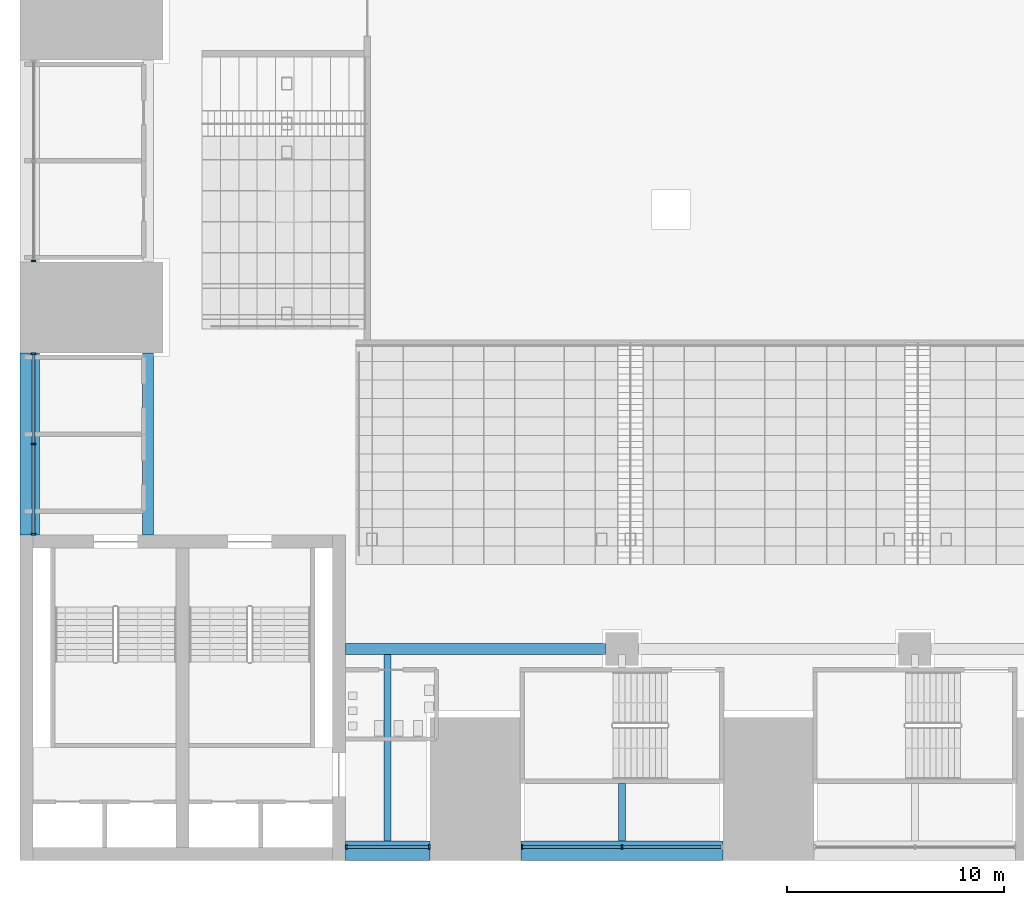
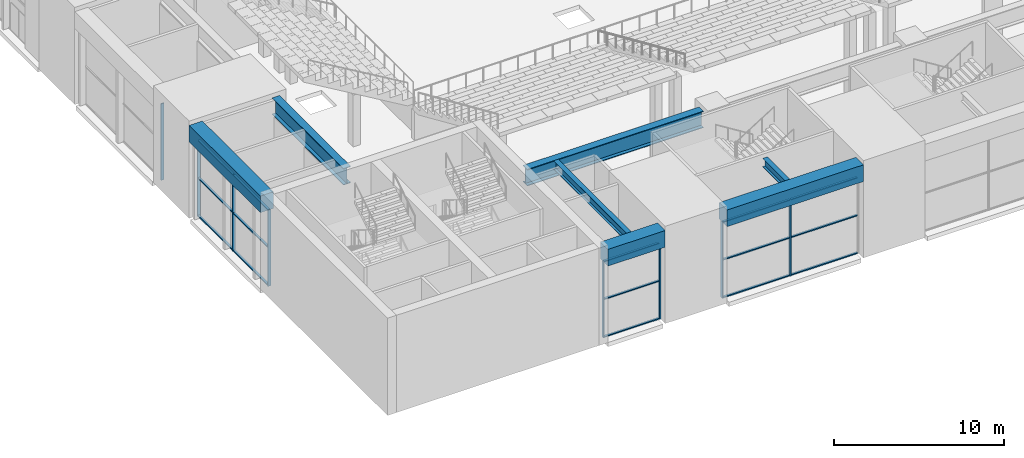
# One storey, part 4 of 62: 23 members, 7 beams, 4 elements without a shape of their own.
"""IFC4 building model written with IfcOpenShell, lengths in metres."""

from ifc_helpers import new_model, si_unit, direction, frame, origin, origin_2d, place, context, subcontext, project, spatial, rectangle, i_section, extrude, material, layer, layer_set, material_profile, profile_set, type_object, element, aggregate, save


model = new_model("IFC4")

# Units and contexts
model_context = context("Model", 3, precision=1e-05, world=origin(), true_north=direction((0.0, 1.0)))
body_context = subcontext(model_context, "Body", "Model", "MODEL_VIEW")
ifc_project = project(units=[si_unit("LENGTHUNIT", "METRE"), si_unit("AREAUNIT", "SQUARE_METRE"), si_unit("VOLUMEUNIT", "CUBIC_METRE"), si_unit("PLANEANGLEUNIT", "RADIAN"), si_unit("MASSUNIT", "GRAM", prefix="KILO")], contexts=[model_context])

# Site, building, storey
site_placement = place(None, origin())
site = spatial("IfcSite", under=ifc_project, at=site_placement, CompositionType="ELEMENT")
building_placement = place(site_placement, origin())
building = spatial("IfcBuilding", under=site, at=building_placement, Name="Corbelhall Arena Tower", CompositionType="ELEMENT")
storey_placement = place(building_placement, frame((0.0, 0.0, 12.0)))
storey = spatial("IfcBuildingStorey", under=building, at=storey_placement, Name="L01", CompositionType="ELEMENT", Elevation=12.0)

# Curtain wall, members
ifc_material_1 = material(Name="Aluminium black anodised", Category="aluminium")
ifc_layer = layer(ifc_material_1, 0.239990234375)
ifc_layer_set = layer_set([ifc_layer], Name="EV-CW4 Arena concourse glazing")
curtain_wall_type = type_object("IfcCurtainWallType", Name="EV-CW4 Arena concourse glazing", PredefinedType="NOTDEFINED", material=ifc_layer_set)
curtain_wall_1_placement = place(storey_placement, origin())
curtain_wall_1 = element("IfcCurtainWall", 1, at=curtain_wall_1_placement, inside=storey, type_object=curtain_wall_type, Name="Curtain wall CW4A", PredefinedType="NOTDEFINED")
ifc_material_profile_1 = material_profile(ifc_material_1, rectangle(XDim=0.199951171875, YDim=0.074951171875, at=origin_2d()))
ifc_profile_set_1 = profile_set([ifc_material_profile_1], Name="Aluminium black anodised")
member_type_1 = type_object("IfcMemberType", Name="EV-CW4-MULLION", PredefinedType="MULLION", material=ifc_profile_set_1)
member_1_placement = place(storey_placement, frame((-32.96240234375, -38.3798828125, 0.0), z_axis=(0.0, 0.0, 1.0), x_axis=(0.0, 1.0, 0.0)))
member_1 = element("IfcMember", 2, at=member_1_placement, type_object=member_type_1, Name="CW4A mullion 1", PredefinedType="MULLION", context=body_context, shape_type="SweptSolid", body=[
    extrude(rectangle(XDim=0.199951171875, YDim=0.074951171875, at=origin_2d()), origin(), (0.0, 0.0, 1.0), 5.5),
])
member_2_placement = place(storey_placement, frame((-29.137451171875, -38.3798828125, 0.0), z_axis=(0.0, 0.0, 1.0), x_axis=(0.0, 1.0, 0.0)))
member_2 = element("IfcMember", 3, at=member_2_placement, type_object=member_type_1, Name="CW4A mullion 2", PredefinedType="MULLION", context=body_context, shape_type="SweptSolid", body=[
    extrude(rectangle(XDim=0.199951171875, YDim=0.074951171875, at=origin_2d()), origin(), (0.0, 0.0, 1.0), 5.5),
])

curtain_wall_2_placement = place(storey_placement, origin())
curtain_wall_2 = element("IfcCurtainWall", 4, at=curtain_wall_2_placement, inside=storey, type_object=curtain_wall_type, Name="Curtain wall CW4", PredefinedType="NOTDEFINED")
member_3_placement = place(storey_placement, frame((-24.862548828125, -38.3798828125, 0.0), z_axis=(0.0, 0.0, 1.0), x_axis=(0.0, 1.0, 0.0)))
member_3 = element("IfcMember", 5, at=member_3_placement, type_object=member_type_1, Name="CW4 mullion 1", PredefinedType="MULLION", context=body_context, shape_type="SweptSolid", body=[
    extrude(rectangle(XDim=0.199951171875, YDim=0.074951171875, at=origin_2d()), origin(), (0.0, 0.0, 1.0), 5.5),
])
member_4_placement = place(storey_placement, frame((-20.25, -38.3798828125, 0.0), z_axis=(0.0, 0.0, 1.0), x_axis=(0.0, 1.0, 0.0)))
member_4 = element("IfcMember", 6, at=member_4_placement, type_object=member_type_1, Name="CW4 mullion 2", PredefinedType="MULLION", context=body_context, shape_type="SweptSolid", body=[
    extrude(rectangle(XDim=0.199951171875, YDim=0.074951171875, at=origin_2d()), origin(), (0.0, 0.0, 1.0), 5.5),
])

# Curtain wall, member
curtain_wall_3_placement = place(storey_placement, origin())
curtain_wall_3 = element("IfcCurtainWall", 7, at=curtain_wall_3_placement, inside=storey, type_object=curtain_wall_type, Name="Curtain wall CW4", PredefinedType="NOTDEFINED")
member_5_placement = place(storey_placement, frame((-47.3798828125, -11.362548828125, 0.0), z_axis=(0.0, 0.0, 1.0), x_axis=(1.0, 0.0, 0.0)))
member_5 = element("IfcMember", 8, at=member_5_placement, type_object=member_type_1, Name="CW4 mullion 3", PredefinedType="MULLION", context=body_context, shape_type="SweptSolid", body=[
    extrude(rectangle(XDim=0.199951171875, YDim=0.074951171875, at=origin_2d()), origin(), (0.0, 0.0, 1.0), 5.5),
])
aggregate(curtain_wall_3, [member_5])

# Curtain wall, members
curtain_wall_4_placement = place(storey_placement, origin())
curtain_wall_4 = element("IfcCurtainWall", 9, at=curtain_wall_4_placement, inside=storey, type_object=curtain_wall_type, Name="Curtain wall CW4B", PredefinedType="NOTDEFINED")
member_6_placement = place(storey_placement, frame((-47.3798828125, -15.637451171875, 0.0), z_axis=(0.0, 0.0, 1.0), x_axis=(1.0, 0.0, 0.0)))
member_6 = element("IfcMember", 10, at=member_6_placement, type_object=member_type_1, Name="CW4B mullion 1", PredefinedType="MULLION", context=body_context, shape_type="SweptSolid", body=[
    extrude(rectangle(XDim=0.199951171875, YDim=0.074951171875, at=origin_2d()), origin(), (0.0, 0.0, 1.0), 5.5),
])
member_7_placement = place(storey_placement, frame((-47.3798828125, -19.800048828125, 0.0), z_axis=(0.0, 0.0, 1.0), x_axis=(1.0, 0.0, 0.0)))
member_7 = element("IfcMember", 11, at=member_7_placement, type_object=member_type_1, Name="CW4B mullion 2", PredefinedType="MULLION", context=body_context, shape_type="SweptSolid", body=[
    extrude(rectangle(XDim=0.199951171875, YDim=0.074951171875, at=origin_2d()), origin(), (0.0, 0.0, 1.0), 5.5),
])
member_8_placement = place(storey_placement, frame((-47.3798828125, -23.96240234375, 0.0), z_axis=(0.0, 0.0, 1.0), x_axis=(1.0, 0.0, 0.0)))
member_8 = element("IfcMember", 12, at=member_8_placement, type_object=member_type_1, Name="CW4B mullion 3", PredefinedType="MULLION", context=body_context, shape_type="SweptSolid", body=[
    extrude(rectangle(XDim=0.199951171875, YDim=0.074951171875, at=origin_2d()), origin(), (0.0, 0.0, 1.0), 5.5),
])

# Member
ifc_material_profile_2 = material_profile(ifc_material_1, rectangle(XDim=0.14990234375, YDim=0.074951171875, at=origin_2d()))
ifc_profile_set_2 = profile_set([ifc_material_profile_2], Name="Aluminium black anodised")
member_type_2 = type_object("IfcMemberType", Name="EV-CW4-TRANSOM", PredefinedType="USERDEFINED", material=ifc_profile_set_2)
member_9_placement = place(storey_placement, frame((-32.925048828125, -38.3798828125, 0.03759765625), z_axis=(1.0, 0.0, 0.0), x_axis=(0.0, 1.0, 0.0)))
member_9 = element("IfcMember", 13, at=member_9_placement, type_object=member_type_2, Name="CW4A transom 1.1", ObjectType="transom", PredefinedType="USERDEFINED", context=body_context, shape_type="SweptSolid", body=[
    extrude(rectangle(XDim=0.14990234375, YDim=0.074951171875, at=origin_2d()), origin(), (0.0, 0.0, 1.0), 3.75),
])

member_10_placement = place(storey_placement, frame((-32.925048828125, -38.3798828125, 2.75), z_axis=(1.0, 0.0, 0.0), x_axis=(0.0, 1.0, 0.0)))
member_10 = element("IfcMember", 14, at=member_10_placement, type_object=member_type_2, Name="CW4A transom 1.2", ObjectType="transom", PredefinedType="USERDEFINED", context=body_context, shape_type="SweptSolid", body=[
    extrude(rectangle(XDim=0.14990234375, YDim=0.074951171875, at=origin_2d()), origin(), (0.0, 0.0, 1.0), 3.75),
])

member_11_placement = place(storey_placement, frame((-32.925048828125, -38.3798828125, 5.46240234375), z_axis=(1.0, 0.0, 0.0), x_axis=(0.0, 1.0, 0.0)))
member_11 = element("IfcMember", 15, at=member_11_placement, type_object=member_type_2, Name="CW4A transom 1.3", ObjectType="transom", PredefinedType="USERDEFINED", context=body_context, shape_type="SweptSolid", body=[
    extrude(rectangle(XDim=0.14990234375, YDim=0.074951171875, at=origin_2d()), origin(), (0.0, 0.0, 1.0), 3.75),
])

aggregate(curtain_wall_1, [member_1, member_2, member_9, member_10, member_11])

member_12_placement = place(storey_placement, frame((-24.824951171875, -38.3798828125, 0.03759765625), z_axis=(1.0, 0.0, 0.0), x_axis=(0.0, 1.0, 0.0)))
member_12 = element("IfcMember", 16, at=member_12_placement, type_object=member_type_2, Name="CW4 transom 1.1", ObjectType="transom", PredefinedType="USERDEFINED", context=body_context, shape_type="SweptSolid", body=[
    extrude(rectangle(XDim=0.14990234375, YDim=0.074951171875, at=origin_2d()), origin(), (0.0, 0.0, 1.0), 4.537353515625),
])

member_13_placement = place(storey_placement, frame((-24.824951171875, -38.3798828125, 2.75), z_axis=(1.0, 0.0, 0.0), x_axis=(0.0, 1.0, 0.0)))
member_13 = element("IfcMember", 17, at=member_13_placement, type_object=member_type_2, Name="CW4 transom 1.2", ObjectType="transom", PredefinedType="USERDEFINED", context=body_context, shape_type="SweptSolid", body=[
    extrude(rectangle(XDim=0.14990234375, YDim=0.074951171875, at=origin_2d()), origin(), (0.0, 0.0, 1.0), 4.537353515625),
])

member_14_placement = place(storey_placement, frame((-24.824951171875, -38.3798828125, 5.46240234375), z_axis=(1.0, 0.0, 0.0), x_axis=(0.0, 1.0, 0.0)))
member_14 = element("IfcMember", 18, at=member_14_placement, type_object=member_type_2, Name="CW4 transom 1.3", ObjectType="transom", PredefinedType="USERDEFINED", context=body_context, shape_type="SweptSolid", body=[
    extrude(rectangle(XDim=0.14990234375, YDim=0.074951171875, at=origin_2d()), origin(), (0.0, 0.0, 1.0), 4.537353515625),
])

member_15_placement = place(storey_placement, frame((-20.21240234375, -38.3798828125, 0.03759765625), z_axis=(1.0, 0.0, 0.0), x_axis=(0.0, 1.0, 0.0)))
member_15 = element("IfcMember", 19, at=member_15_placement, type_object=member_type_2, Name="CW4 transom 2.1", ObjectType="transom", PredefinedType="USERDEFINED", context=body_context, shape_type="SweptSolid", body=[
    extrude(rectangle(XDim=0.14990234375, YDim=0.074951171875, at=origin_2d()), origin(), (0.0, 0.0, 1.0), 4.537353515625),
])

member_16_placement = place(storey_placement, frame((-20.21240234375, -38.3798828125, 2.75), z_axis=(1.0, 0.0, 0.0), x_axis=(0.0, 1.0, 0.0)))
member_16 = element("IfcMember", 20, at=member_16_placement, type_object=member_type_2, Name="CW4 transom 2.2", ObjectType="transom", PredefinedType="USERDEFINED", context=body_context, shape_type="SweptSolid", body=[
    extrude(rectangle(XDim=0.14990234375, YDim=0.074951171875, at=origin_2d()), origin(), (0.0, 0.0, 1.0), 4.537353515625),
])

member_17_placement = place(storey_placement, frame((-20.21240234375, -38.3798828125, 5.46240234375), z_axis=(1.0, 0.0, 0.0), x_axis=(0.0, 1.0, 0.0)))
member_17 = element("IfcMember", 21, at=member_17_placement, type_object=member_type_2, Name="CW4 transom 2.3", ObjectType="transom", PredefinedType="USERDEFINED", context=body_context, shape_type="SweptSolid", body=[
    extrude(rectangle(XDim=0.14990234375, YDim=0.074951171875, at=origin_2d()), origin(), (0.0, 0.0, 1.0), 4.537353515625),
])

aggregate(curtain_wall_2, [member_3, member_4, member_12, member_13, member_14, member_15, member_16, member_17])

member_18_placement = place(storey_placement, frame((-47.3798828125, -15.675048828125, 0.03759765625), z_axis=(0.0, -1.0, 0.0), x_axis=(1.0, 0.0, 0.0)))
member_18 = element("IfcMember", 22, at=member_18_placement, type_object=member_type_2, Name="CW4B transom 1.1", ObjectType="transom", PredefinedType="USERDEFINED", context=body_context, shape_type="SweptSolid", body=[
    extrude(rectangle(XDim=0.14990234375, YDim=0.074951171875, at=origin_2d()), origin(), (0.0, 0.0, 1.0), 4.08740234375),
])

member_19_placement = place(storey_placement, frame((-47.3798828125, -15.675048828125, 2.75), z_axis=(0.0, -1.0, 0.0), x_axis=(1.0, 0.0, 0.0)))
member_19 = element("IfcMember", 23, at=member_19_placement, type_object=member_type_2, Name="CW4B transom 1.2", ObjectType="transom", PredefinedType="USERDEFINED", context=body_context, shape_type="SweptSolid", body=[
    extrude(rectangle(XDim=0.14990234375, YDim=0.074951171875, at=origin_2d()), origin(), (0.0, 0.0, 1.0), 4.08740234375),
])

member_20_placement = place(storey_placement, frame((-47.3798828125, -15.675048828125, 5.46240234375), z_axis=(0.0, -1.0, 0.0), x_axis=(1.0, 0.0, 0.0)))
member_20 = element("IfcMember", 24, at=member_20_placement, type_object=member_type_2, Name="CW4B transom 1.3", ObjectType="transom", PredefinedType="USERDEFINED", context=body_context, shape_type="SweptSolid", body=[
    extrude(rectangle(XDim=0.14990234375, YDim=0.074951171875, at=origin_2d()), origin(), (0.0, 0.0, 1.0), 4.08740234375),
])

member_21_placement = place(storey_placement, frame((-47.3798828125, -19.83740234375, 0.03759765625), z_axis=(0.0, -1.0, 0.0), x_axis=(1.0, 0.0, 0.0)))
member_21 = element("IfcMember", 25, at=member_21_placement, type_object=member_type_2, Name="CW4B transom 2.1", ObjectType="transom", PredefinedType="USERDEFINED", context=body_context, shape_type="SweptSolid", body=[
    extrude(rectangle(XDim=0.14990234375, YDim=0.074951171875, at=origin_2d()), origin(), (0.0, 0.0, 1.0), 4.087646484375),
])

member_22_placement = place(storey_placement, frame((-47.3798828125, -19.83740234375, 2.75), z_axis=(0.0, -1.0, 0.0), x_axis=(1.0, 0.0, 0.0)))
member_22 = element("IfcMember", 26, at=member_22_placement, type_object=member_type_2, Name="CW4B transom 2.2", ObjectType="transom", PredefinedType="USERDEFINED", context=body_context, shape_type="SweptSolid", body=[
    extrude(rectangle(XDim=0.14990234375, YDim=0.074951171875, at=origin_2d()), origin(), (0.0, 0.0, 1.0), 4.087646484375),
])

member_23_placement = place(storey_placement, frame((-47.3798828125, -19.83740234375, 5.46240234375), z_axis=(0.0, -1.0, 0.0), x_axis=(1.0, 0.0, 0.0)))
member_23 = element("IfcMember", 27, at=member_23_placement, type_object=member_type_2, Name="CW4B transom 2.3", ObjectType="transom", PredefinedType="USERDEFINED", context=body_context, shape_type="SweptSolid", body=[
    extrude(rectangle(XDim=0.14990234375, YDim=0.074951171875, at=origin_2d()), origin(), (0.0, 0.0, 1.0), 4.087646484375),
])

aggregate(curtain_wall_4, [member_6, member_7, member_8, member_18, member_19, member_20, member_21, member_22, member_23])

# Beams
ifc_material_2 = material(Name="Steel ASTM A992 Gr50", Category="steel")
ifc_material_profile_3 = material_profile(ifc_material_2, i_section(OverallWidth=0.323974609375, OverallDepth=0.611083984375, WebThickness=0.0126953125, FlangeThickness=0.01904296875, at=origin_2d()))
ifc_profile_set_3 = profile_set([ifc_material_profile_3], Name="Steel ASTM A992 Gr50")
beam_type_1 = type_object("IfcBeamType", Name="PO-BEAM-W24X104", PredefinedType="BEAM", material=ifc_profile_set_3)
beam_1_placement = place(storey_placement, frame((-31.050048828125, -29.5, 6.39453125), z_axis=(0.0, -1.0, 0.0), x_axis=(1.0, 0.0, 0.0)))
element("IfcBeam", 28, at=beam_1_placement, inside=storey, type_object=beam_type_1, Name="CONCOURSE BEAM", PredefinedType="BEAM", context=body_context, shape_type="SweptSolid", body=[
    extrude(i_section(OverallWidth=0.323974609375, OverallDepth=0.611083984375, WebThickness=0.0126953125, FlangeThickness=0.01904296875, at=origin_2d()), origin(), (0.0, 0.0, 1.0), 8.60009765625),
])
beam_2_placement = place(storey_placement, frame((-20.25, -35.449951171875, 6.39453125), z_axis=(0.0, -1.0, 0.0), x_axis=(1.0, 0.0, 0.0)))
element("IfcBeam", 29, at=beam_2_placement, inside=storey, type_object=beam_type_1, Name="CONCOURSE BEAM", PredefinedType="BEAM", context=body_context, shape_type="SweptSolid", body=[
    extrude(i_section(OverallWidth=0.323974609375, OverallDepth=0.611083984375, WebThickness=0.0126953125, FlangeThickness=0.01904296875, at=origin_2d()), origin(), (0.0, 0.0, 1.0), 2.650146484375),
])
ifc_material_3 = material(Name="Steel ASTM A572 Gr50", Category="steel")
ifc_material_profile_4 = material_profile(ifc_material_3, i_section(OverallWidth=0.5, OverallDepth=1.199951171875, WebThickness=0.02490234375, FlangeThickness=0.044921875, at=origin_2d()))
ifc_profile_set_4 = profile_set([ifc_material_profile_4], Name="Steel ASTM A572 Gr50")
beam_type_2 = type_object("IfcBeamType", Name="PO-GIRDER-PG1200X500X25X45", PredefinedType="BEAM", material=ifc_profile_set_4)
beam_3_placement = place(storey_placement, frame((-33.0, -29.25, 6.10009765625), z_axis=(1.0, 0.0, 0.0), x_axis=(0.0, 1.0, 0.0)))
element("IfcBeam", 30, at=beam_3_placement, inside=storey, type_object=beam_type_2, Name="RING GIRDER", PredefinedType="BEAM", context=body_context, shape_type="SweptSolid", body=[
    extrude(i_section(OverallWidth=0.5, OverallDepth=1.199951171875, WebThickness=0.02490234375, FlangeThickness=0.044921875, at=origin_2d()), origin(), (0.0, 0.0, 1.0), 12.0),
])
beam_4_placement = place(storey_placement, frame((-42.10009765625, -24.0, 6.10009765625), z_axis=(0.0, 1.0, 0.0), x_axis=(-1.0, 0.0, 0.0)))
element("IfcBeam", 31, at=beam_4_placement, inside=storey, type_object=beam_type_2, Name="INNER END GIRDER", PredefinedType="BEAM", context=body_context, shape_type="SweptSolid", body=[
    extrude(i_section(OverallWidth=0.5, OverallDepth=1.199951171875, WebThickness=0.02490234375, FlangeThickness=0.044921875, at=origin_2d()), origin(), (0.0, 0.0, 1.0), 8.39990234375),
])
ifc_material_4 = material(Name="Concrete C80/95", Category="concrete")
ifc_material_profile_5 = material_profile(ifc_material_4, rectangle(XDim=0.89990234375, YDim=1.199951171875, at=origin_2d()))
ifc_profile_set_5 = profile_set([ifc_material_profile_5], Name="Concrete C80/95")
beam_type_3 = type_object("IfcBeamType", Name="PO-RING-BEAM", PredefinedType="BEAM", material=ifc_profile_set_5)
beam_5_placement = place(storey_placement, frame((-33.0, -38.550048828125, 6.10009765625), z_axis=(1.0, 0.0, 0.0), x_axis=(0.0, 1.0, 0.0)))
element("IfcBeam", 32, at=beam_5_placement, inside=storey, type_object=beam_type_3, Name="RING GIRDER L02 S1", PredefinedType="BEAM", context=body_context, shape_type="SweptSolid", body=[
    extrude(rectangle(XDim=0.89990234375, YDim=1.199951171875, at=origin_2d()), origin(), (0.0, 0.0, 1.0), 3.89990234375),
])
beam_6_placement = place(storey_placement, frame((-24.89990234375, -38.550048828125, 6.10009765625), z_axis=(1.0, 0.0, 0.0), x_axis=(0.0, 1.0, 0.0)))
element("IfcBeam", 33, at=beam_6_placement, inside=storey, type_object=beam_type_3, Name="RING GIRDER L02 S2", PredefinedType="BEAM", context=body_context, shape_type="SweptSolid", body=[
    extrude(rectangle(XDim=0.89990234375, YDim=1.199951171875, at=origin_2d()), origin(), (0.0, 0.0, 1.0), 9.2998046875),
])
beam_7_placement = place(storey_placement, frame((-47.550048828125, -24.0, 6.10009765625), z_axis=(0.0, 1.0, 0.0), x_axis=(-1.0, 0.0, 0.0)))
element("IfcBeam", 34, at=beam_7_placement, inside=storey, type_object=beam_type_3, Name="RING GIRDER L02 W1", PredefinedType="BEAM", context=body_context, shape_type="SweptSolid", body=[
    extrude(rectangle(XDim=0.89990234375, YDim=1.199951171875, at=origin_2d()), origin(), (0.0, 0.0, 1.0), 8.39990234375),
])

save(model, "model.ifc")
